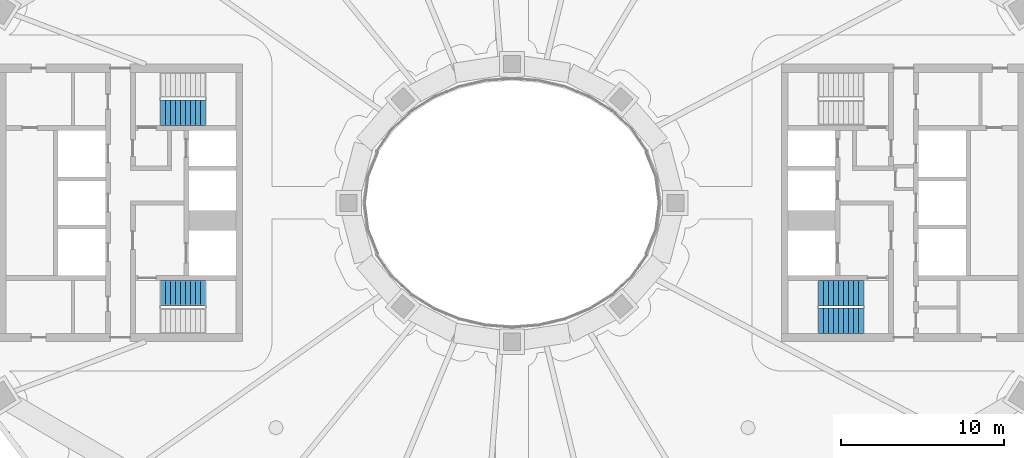
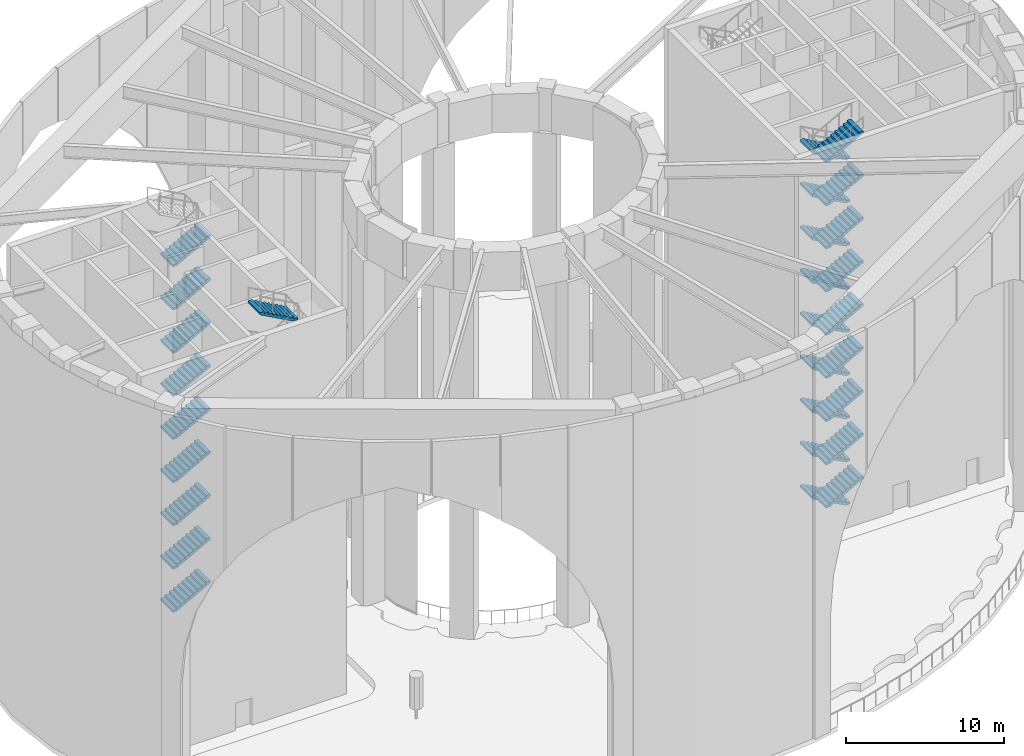
# One storey, part 6 of 26: 28 stair flights, 3 elements without a shape of their own.
"""IFC4 building model written with IfcOpenShell, lengths in metres."""

import ifcopenshell
import ifcopenshell.guid

model = None  # the IFC model being written
_history = None  # IfcOwnerHistory: only IFC2X3 demands one
_inside = {}  # id of a spatial element -> (the spatial element, [elements in it])
_under = {}  # id of a project, library or spatial element -> (it, [spatial elements below it])
_declared = {}  # id of a project -> (the project, [libraries it declares])
_typed = {}  # id of a type object -> (the type object, [elements of that type])
_made_of = {}  # id of a material, layer set ... -> (it, [elements and type objects made of it])


def new_model(schema):
    """Start an empty IFC model of exactly this schema.

    Asked for "IFC4X3", IfcOpenShell would pick the latest addendum, in which some entities
    have other attributes; the version numbers below select the first issue.
    IFC2X3 requires an IfcOwnerHistory on every rooted entity: one is made here for all.
    """
    global model, _history
    if schema == "IFC4X3":
        model = ifcopenshell.file(schema_version=(4, 3, 0, 0))
    else:
        model = ifcopenshell.file(schema=schema)
    _inside.clear()
    _under.clear()
    _declared.clear()
    _typed.clear()
    _made_of.clear()
    _history = None
    if model.schema == "IFC2X3":
        org = make("IfcOrganization", Name="unknown")
        user = make(
            "IfcPersonAndOrganization",
            ThePerson=make("IfcPerson", FamilyName="unknown"),
            TheOrganization=org,
        )
        app = make(
            "IfcApplication",
            ApplicationDeveloper=org,
            Version="unknown",
            ApplicationFullName="unknown",
            ApplicationIdentifier="unknown",
        )
        _history = make(
            "IfcOwnerHistory",
            OwningUser=user,
            OwningApplication=app,
            ChangeAction="ADDED",
            CreationDate=0,
        )
    return model


def make(cls, **values):
    """One entity of the class cls with the attributes given. An attribute that is None is left unset."""
    return model.create_entity(
        cls, **{name: value for name, value in values.items() if value is not None}
    )


def rooted(cls, **values):
    """An entity with a GlobalId (a new one), such as an element, a storey or a relation."""
    return make(cls, GlobalId=ifcopenshell.guid.new(), OwnerHistory=_history, **values)


def si_unit(unit_type, name, prefix=None):
    """IfcSIUnit, for example si_unit("LENGTHUNIT", "METRE", prefix="MILLI")."""
    return make("IfcSIUnit", UnitType=unit_type, Prefix=prefix, Name=name)


def assignment(units):
    """IfcUnitAssignment: the units of a project."""
    return None if units is None else make("IfcUnitAssignment", Units=units)


def point(xyz):
    """IfcCartesianPoint."""
    return None if xyz is None else make("IfcCartesianPoint", Coordinates=xyz)


def direction(xyz):
    """IfcDirection."""
    return None if xyz is None else make("IfcDirection", DirectionRatios=xyz)


def frame(location, z_axis=None, x_axis=None):
    """IfcAxis2Placement3D, a coordinate frame: its origin and axes. An axis left out is left unset."""
    return make(
        "IfcAxis2Placement3D",
        Location=point(location),
        Axis=direction(z_axis),
        RefDirection=direction(x_axis),
    )


def origin():
    """The frame at (0, 0, 0) with its axes left unset."""
    return frame((0.0, 0.0, 0.0))


def place(relative_to, where):
    """IfcLocalPlacement: puts the frame where relative to a parent placement (None: the world)."""
    return make(
        "IfcLocalPlacement", PlacementRelTo=relative_to, RelativePlacement=where
    )


def context(
    kind, dimensions, precision=None, world=None, true_north=None, identifier=None
):
    """IfcGeometricRepresentationContext, for example the 3D "Model" context."""
    return make(
        "IfcGeometricRepresentationContext",
        ContextIdentifier=identifier,
        ContextType=kind,
        CoordinateSpaceDimension=dimensions,
        Precision=precision,
        WorldCoordinateSystem=world,
        TrueNorth=true_north,
    )


def subcontext(parent, identifier, kind, view, scale=None):
    """IfcGeometricRepresentationSubContext, for example "Body" below "Model"."""
    return make(
        "IfcGeometricRepresentationSubContext",
        ContextIdentifier=identifier,
        ContextType=kind,
        ParentContext=parent,
        TargetScale=scale,
        TargetView=view,
    )


def project(units=None, contexts=None):
    """IfcProject with its units and contexts."""
    return rooted(
        "IfcProject",
        Name="project",
        RepresentationContexts=contexts,
        UnitsInContext=assignment(units),
    )


def spatial(cls, under=None, at=None, **own):
    """A site, building, storey or space (cls), placed at a placement, below another one or the project."""
    s = rooted(cls, ObjectPlacement=at, **own)
    if under is not None:
        _under.setdefault(under.id(), (under, []))[1].append(s)
    return s


def polyline(points):
    """IfcPolyline through the points."""
    return make("IfcPolyline", Points=[point(p) for p in points])


def outline(outer, holes=None, kind="AREA"):
    """IfcArbitraryClosedProfileDef: a profile drawn as a closed curve; with holes, ...WithVoids."""
    if holes is None:
        return make("IfcArbitraryClosedProfileDef", ProfileType=kind, OuterCurve=outer)
    return make(
        "IfcArbitraryProfileDefWithVoids",
        ProfileType=kind,
        OuterCurve=outer,
        InnerCurves=holes,
    )


def extrude(swept, where, along, depth):
    """IfcExtrudedAreaSolid: the profile swept, set in the frame where, extruded along a direction by depth."""
    return make(
        "IfcExtrudedAreaSolid",
        SweptArea=swept,
        Position=where,
        ExtrudedDirection=direction(along),
        Depth=depth,
    )


def shape(context_of_items, identifier, shape_type, items):
    """IfcShapeRepresentation: the items that make up one representation, for example the "Body"."""
    return make(
        "IfcShapeRepresentation",
        ContextOfItems=context_of_items,
        RepresentationIdentifier=identifier,
        RepresentationType=shape_type,
        Items=items,
    )


def material(Name=None, Category=None):
    """IfcMaterial."""
    return make("IfcMaterial", Name=Name, Category=Category)


def made_of(thing, what):
    """Note that an element or type object is made of a material, layer set ...; save() writes the relation."""
    if what is not None:
        _made_of.setdefault(what.id(), (what, []))[1].append(thing)
    return thing


def type_object(cls, material=None, **own):
    """A type object (cls), such as IfcWallType, which elements share."""
    return made_of(rooted(cls, **own), material)


def element(
    cls,
    number,
    at=None,
    inside=None,
    cuts=None,
    type_object=None,
    material=None,
    context=None,
    identifier="Body",
    shape_type=None,
    held_by="IfcProductDefinitionShape",
    body=None,
    shapes=None,
    **own,
):
    """One element of the class cls, such as IfcWall. Its Tag is "e" and its number.

    at: its placement. inside: the storey or other place that contains it. cuts: it is an
    opening in that element (IfcRelVoidsElement). A single representation is given by context,
    identifier, shape_type and body (its items); several are given by shapes. held_by: the class
    of the entity that holds the representations. save() writes the other relations.
    """
    e = rooted(cls, Tag="e%d" % number, ObjectPlacement=at, **own)
    if body is not None:
        shapes = [shape(context, identifier, shape_type, body)]
    if shapes is not None:
        e.Representation = make(held_by, Representations=shapes)
    if inside is not None:
        _inside.setdefault(inside.id(), (inside, []))[1].append(e)
    if cuts is not None:
        rooted(
            "IfcRelVoidsElement", RelatingBuildingElement=cuts, RelatedOpeningElement=e
        )
    if type_object is not None:
        _typed.setdefault(type_object.id(), (type_object, []))[1].append(e)
    return made_of(e, material)


def aggregate(whole, parts):
    """IfcRelAggregates: a whole, such as a stair, and the parts it consists of."""
    return rooted("IfcRelAggregates", RelatingObject=whole, RelatedObjects=parts)


def save(model, path):
    """Write the relations noted so far, then the file.

    IfcRelAggregates (storeys below a building ...), IfcRelContainedInSpatialStructure (elements
    in a storey), IfcRelDefinesByType, IfcRelAssociatesMaterial and IfcRelDeclares: one each for
    every whole, place, type object, material and project.
    """
    for whole, parts in _under.values():
        aggregate(whole, parts)
    for where, things in _inside.values():
        rooted(
            "IfcRelContainedInSpatialStructure",
            RelatedElements=things,
            RelatingStructure=where,
        )
    for kind, things in _typed.values():
        rooted("IfcRelDefinesByType", RelatedObjects=things, RelatingType=kind)
    for what, things in _made_of.values():
        rooted("IfcRelAssociatesMaterial", RelatedObjects=things, RelatingMaterial=what)
    for by, libraries in _declared.values():
        rooted("IfcRelDeclares", RelatingContext=by, RelatedDefinitions=libraries)
    model.write(path)


model = new_model("IFC4")

# Units and contexts
model_context = context("Model", 3, precision=1e-05, world=origin(), true_north=direction((0.0, 1.0)))
body_context = subcontext(model_context, "Body", "Model", "MODEL_VIEW")
ifc_project = project(units=[si_unit("LENGTHUNIT", "METRE"), si_unit("AREAUNIT", "SQUARE_METRE"), si_unit("VOLUMEUNIT", "CUBIC_METRE"), si_unit("PLANEANGLEUNIT", "RADIAN"), si_unit("MASSUNIT", "GRAM", prefix="KILO")], contexts=[model_context])

# Site, building, storey
site_placement = place(None, origin())
site = spatial("IfcSite", under=ifc_project, at=site_placement, CompositionType="ELEMENT")
building_placement = place(site_placement, origin())
building = spatial("IfcBuilding", under=site, at=building_placement, Name="Noorbagh Ring Tower", CompositionType="ELEMENT")
storey_placement = place(building_placement, frame((0.0, 0.0, 203.5)))
storey = spatial("IfcBuildingStorey", under=building, at=storey_placement, Name="L47", CompositionType="ELEMENT", Elevation=203.5)

# Stair, stair flights
ifc_material_1 = material(Name="Concrete C40/50", Category="concrete")
stair_type = type_object("IfcStairType", Name="CORE-STAIR", PredefinedType="HALF_TURN_STAIR", material=ifc_material_1)
stair_1_placement = place(storey_placement, origin())
stair_1 = element("IfcStair", 1, at=stair_1_placement, inside=storey, type_object=stair_type, Name="L47 Exit stair ST1", PredefinedType="HALF_TURN_STAIR")
ifc_material_2 = material(Name="Concrete C40/50", Category="concrete")
stair_flight_type = type_object("IfcStairFlightType", Name="CORE-STAIR-FLIGHT", PredefinedType="STRAIGHT", material=ifc_material_2)
stair_flight_1_placement = place(storey_placement, frame((-21.530029296875, 5.52490234375, 0.0), z_axis=(0.0, 0.0, 1.0), x_axis=(1.0, 0.0, 0.0)))
stair_flight_1 = element("IfcStairFlight", 2, at=stair_flight_1_placement, type_object=stair_flight_type, Name="ST1 flight 1", NumberOfRisers=10, NumberOfTreads=9, PredefinedType="STRAIGHT", RiserHeight=0.166666667, TreadLength=0.305, context=body_context, shape_type="SweptSolid", body=[
    extrude(outline(polyline([(0.0, 0.0), (0.0, 0.166748046875), (0.304931640625, 0.166748046875), (0.304931640625, 0.333251953125), (0.610107421875, 0.333251953125), (0.610107421875, 0.5), (0.9150390625, 0.5), (0.9150390625, 0.666748046875), (1.219970703125, 0.666748046875), (1.219970703125, 0.833251953125), (1.52490234375, 0.833251953125), (1.52490234375, 1.0), (1.830078125, 1.0), (1.830078125, 1.166748046875), (2.135009765625, 1.166748046875), (2.135009765625, 1.333251953125), (2.43994140625, 1.333251953125), (2.43994140625, 1.5), (2.7451171875, 1.5), (2.7451171875, 1.666748046875), (2.7451171875, 1.3291015625), (0.3125, 0.0), (0.0, 0.0)])), frame((0.0, 0.77490234375, 0.0), z_axis=(0.0, -1.0, 0.0), x_axis=(1.0, 0.0, 0.0)), (0.0, 0.0, 1.0), 1.550048828125),
])
stair_flight_2_placement = place(storey_placement, frame((-21.530029296875, 5.52490234375, 3.333251953125), z_axis=(0.0, 0.0, 1.0), x_axis=(1.0, 0.0, 0.0)))
stair_flight_2 = element("IfcStairFlight", 3, at=stair_flight_2_placement, type_object=stair_flight_type, Name="ST1 flight 3", NumberOfRisers=10, NumberOfTreads=9, PredefinedType="STRAIGHT", RiserHeight=0.166666667, TreadLength=0.305, context=body_context, shape_type="SweptSolid", body=[
    extrude(outline(polyline([(0.0, 0.0), (0.0, 0.166748046875), (0.304931640625, 0.166748046875), (0.304931640625, 0.333251953125), (0.610107421875, 0.333251953125), (0.610107421875, 0.5), (0.9150390625, 0.5), (0.9150390625, 0.666748046875), (1.219970703125, 0.666748046875), (1.219970703125, 0.833251953125), (1.52490234375, 0.833251953125), (1.52490234375, 1.0), (1.830078125, 1.0), (1.830078125, 1.166748046875), (2.135009765625, 1.166748046875), (2.135009765625, 1.333251953125), (2.43994140625, 1.333251953125), (2.43994140625, 1.5), (2.7451171875, 1.5), (2.7451171875, 1.666748046875), (2.7451171875, 1.3291015625), (0.3125, 0.0), (0.0, 0.0)])), frame((0.0, 0.77490234375, 0.0), z_axis=(0.0, -1.0, 0.0), x_axis=(1.0, 0.0, 0.0)), (0.0, 0.0, 1.0), 1.550048828125),
])
stair_flight_3_placement = place(storey_placement, frame((-21.530029296875, 5.52490234375, 6.666748046875), z_axis=(0.0, 0.0, 1.0), x_axis=(1.0, 0.0, 0.0)))
stair_flight_3 = element("IfcStairFlight", 4, at=stair_flight_3_placement, type_object=stair_flight_type, Name="ST1 flight 5", NumberOfRisers=10, NumberOfTreads=9, PredefinedType="STRAIGHT", RiserHeight=0.166666667, TreadLength=0.305, context=body_context, shape_type="SweptSolid", body=[
    extrude(outline(polyline([(0.0, 0.0), (0.0, 0.166748046875), (0.304931640625, 0.166748046875), (0.304931640625, 0.333251953125), (0.610107421875, 0.333251953125), (0.610107421875, 0.5), (0.9150390625, 0.5), (0.9150390625, 0.666748046875), (1.219970703125, 0.666748046875), (1.219970703125, 0.833251953125), (1.52490234375, 0.833251953125), (1.52490234375, 1.0), (1.830078125, 1.0), (1.830078125, 1.166748046875), (2.135009765625, 1.166748046875), (2.135009765625, 1.333251953125), (2.43994140625, 1.333251953125), (2.43994140625, 1.5), (2.7451171875, 1.5), (2.7451171875, 1.666748046875), (2.7451171875, 1.3291015625), (0.3125, 0.0), (0.0, 0.0)])), frame((0.0, 0.77490234375, 0.0), z_axis=(0.0, -1.0, 0.0), x_axis=(1.0, 0.0, 0.0)), (0.0, 0.0, 1.0), 1.550048828125),
])
stair_flight_4_placement = place(storey_placement, frame((-21.530029296875, 5.52490234375, 10.0), z_axis=(0.0, 0.0, 1.0), x_axis=(1.0, 0.0, 0.0)))
stair_flight_4 = element("IfcStairFlight", 5, at=stair_flight_4_placement, type_object=stair_flight_type, Name="ST1 flight 7", NumberOfRisers=10, NumberOfTreads=9, PredefinedType="STRAIGHT", RiserHeight=0.166666667, TreadLength=0.305, context=body_context, shape_type="SweptSolid", body=[
    extrude(outline(polyline([(0.0, 0.0), (0.0, 0.166748046875), (0.304931640625, 0.166748046875), (0.304931640625, 0.333251953125), (0.610107421875, 0.333251953125), (0.610107421875, 0.5), (0.9150390625, 0.5), (0.9150390625, 0.666748046875), (1.219970703125, 0.666748046875), (1.219970703125, 0.833251953125), (1.52490234375, 0.833251953125), (1.52490234375, 1.0), (1.830078125, 1.0), (1.830078125, 1.166748046875), (2.135009765625, 1.166748046875), (2.135009765625, 1.333251953125), (2.43994140625, 1.333251953125), (2.43994140625, 1.5), (2.7451171875, 1.5), (2.7451171875, 1.666748046875), (2.7451171875, 1.3291015625), (0.3125, 0.0), (0.0, 0.0)])), frame((0.0, 0.77490234375, 0.0), z_axis=(0.0, -1.0, 0.0), x_axis=(1.0, 0.0, 0.0)), (0.0, 0.0, 1.0), 1.550048828125),
])
stair_flight_5_placement = place(storey_placement, frame((-21.530029296875, 5.52490234375, 13.333251953125), z_axis=(0.0, 0.0, 1.0), x_axis=(1.0, 0.0, 0.0)))
stair_flight_5 = element("IfcStairFlight", 6, at=stair_flight_5_placement, type_object=stair_flight_type, Name="ST1 flight 9", NumberOfRisers=10, NumberOfTreads=9, PredefinedType="STRAIGHT", RiserHeight=0.166666667, TreadLength=0.305, context=body_context, shape_type="SweptSolid", body=[
    extrude(outline(polyline([(0.0, 0.0), (0.0, 0.166748046875), (0.304931640625, 0.166748046875), (0.304931640625, 0.333251953125), (0.610107421875, 0.333251953125), (0.610107421875, 0.5), (0.9150390625, 0.5), (0.9150390625, 0.666748046875), (1.219970703125, 0.666748046875), (1.219970703125, 0.833251953125), (1.52490234375, 0.833251953125), (1.52490234375, 1.0), (1.830078125, 1.0), (1.830078125, 1.166748046875), (2.135009765625, 1.166748046875), (2.135009765625, 1.333251953125), (2.43994140625, 1.333251953125), (2.43994140625, 1.5), (2.7451171875, 1.5), (2.7451171875, 1.666748046875), (2.7451171875, 1.3291015625), (0.3125, 0.0), (0.0, 0.0)])), frame((0.0, 0.77490234375, 0.0), z_axis=(0.0, -1.0, 0.0), x_axis=(1.0, 0.0, 0.0)), (0.0, 0.0, 1.0), 1.550048828125),
])
stair_flight_6_placement = place(storey_placement, frame((-21.530029296875, 5.52490234375, 16.666748046875), z_axis=(0.0, 0.0, 1.0), x_axis=(1.0, 0.0, 0.0)))
stair_flight_6 = element("IfcStairFlight", 7, at=stair_flight_6_placement, type_object=stair_flight_type, Name="ST1 flight 11", NumberOfRisers=10, NumberOfTreads=9, PredefinedType="STRAIGHT", RiserHeight=0.166666667, TreadLength=0.305, context=body_context, shape_type="SweptSolid", body=[
    extrude(outline(polyline([(0.0, 0.0), (0.0, 0.166748046875), (0.304931640625, 0.166748046875), (0.304931640625, 0.333251953125), (0.610107421875, 0.333251953125), (0.610107421875, 0.5), (0.9150390625, 0.5), (0.9150390625, 0.666748046875), (1.219970703125, 0.666748046875), (1.219970703125, 0.833251953125), (1.52490234375, 0.833251953125), (1.52490234375, 1.0), (1.830078125, 1.0), (1.830078125, 1.166748046875), (2.135009765625, 1.166748046875), (2.135009765625, 1.333251953125), (2.43994140625, 1.333251953125), (2.43994140625, 1.5), (2.7451171875, 1.5), (2.7451171875, 1.666748046875), (2.7451171875, 1.3291015625), (0.3125, 0.0), (0.0, 0.0)])), frame((0.0, 0.77490234375, 0.0), z_axis=(0.0, -1.0, 0.0), x_axis=(1.0, 0.0, 0.0)), (0.0, 0.0, 1.0), 1.550048828125),
])
stair_flight_7_placement = place(storey_placement, frame((-21.530029296875, 5.52490234375, 20.0), z_axis=(0.0, 0.0, 1.0), x_axis=(1.0, 0.0, 0.0)))
stair_flight_7 = element("IfcStairFlight", 8, at=stair_flight_7_placement, type_object=stair_flight_type, Name="ST1 flight 13", NumberOfRisers=10, NumberOfTreads=9, PredefinedType="STRAIGHT", RiserHeight=0.166666667, TreadLength=0.305, context=body_context, shape_type="SweptSolid", body=[
    extrude(outline(polyline([(0.0, 0.0), (0.0, 0.166748046875), (0.304931640625, 0.166748046875), (0.304931640625, 0.333251953125), (0.610107421875, 0.333251953125), (0.610107421875, 0.5), (0.9150390625, 0.5), (0.9150390625, 0.666748046875), (1.219970703125, 0.666748046875), (1.219970703125, 0.833251953125), (1.52490234375, 0.833251953125), (1.52490234375, 1.0), (1.830078125, 1.0), (1.830078125, 1.166748046875), (2.135009765625, 1.166748046875), (2.135009765625, 1.333251953125), (2.43994140625, 1.333251953125), (2.43994140625, 1.5), (2.7451171875, 1.5), (2.7451171875, 1.666748046875), (2.7451171875, 1.3291015625), (0.3125, 0.0), (0.0, 0.0)])), frame((0.0, 0.77490234375, 0.0), z_axis=(0.0, -1.0, 0.0), x_axis=(1.0, 0.0, 0.0)), (0.0, 0.0, 1.0), 1.550048828125),
])
stair_flight_8_placement = place(storey_placement, frame((-21.530029296875, 5.52490234375, 23.333251953125), z_axis=(0.0, 0.0, 1.0), x_axis=(1.0, 0.0, 0.0)))
stair_flight_8 = element("IfcStairFlight", 9, at=stair_flight_8_placement, type_object=stair_flight_type, Name="ST1 flight 15", NumberOfRisers=10, NumberOfTreads=9, PredefinedType="STRAIGHT", RiserHeight=0.166666667, TreadLength=0.305, context=body_context, shape_type="SweptSolid", body=[
    extrude(outline(polyline([(0.0, 0.0), (0.0, 0.166748046875), (0.304931640625, 0.166748046875), (0.304931640625, 0.333251953125), (0.610107421875, 0.333251953125), (0.610107421875, 0.5), (0.9150390625, 0.5), (0.9150390625, 0.666748046875), (1.219970703125, 0.666748046875), (1.219970703125, 0.833251953125), (1.52490234375, 0.833251953125), (1.52490234375, 1.0), (1.830078125, 1.0), (1.830078125, 1.166748046875), (2.135009765625, 1.166748046875), (2.135009765625, 1.333251953125), (2.43994140625, 1.333251953125), (2.43994140625, 1.5), (2.7451171875, 1.5), (2.7451171875, 1.666748046875), (2.7451171875, 1.3291015625), (0.3125, 0.0), (0.0, 0.0)])), frame((0.0, 0.77490234375, 0.0), z_axis=(0.0, -1.0, 0.0), x_axis=(1.0, 0.0, 0.0)), (0.0, 0.0, 1.0), 1.550048828125),
])
stair_flight_9_placement = place(storey_placement, frame((-21.530029296875, 5.52490234375, 26.666748046875), z_axis=(0.0, 0.0, 1.0), x_axis=(1.0, 0.0, 0.0)))
stair_flight_9 = element("IfcStairFlight", 10, at=stair_flight_9_placement, type_object=stair_flight_type, Name="ST1 flight 17", NumberOfRisers=10, NumberOfTreads=9, PredefinedType="STRAIGHT", RiserHeight=0.166666667, TreadLength=0.305, context=body_context, shape_type="SweptSolid", body=[
    extrude(outline(polyline([(0.0, 0.0), (0.0, 0.166748046875), (0.304931640625, 0.166748046875), (0.304931640625, 0.333251953125), (0.610107421875, 0.333251953125), (0.610107421875, 0.5), (0.9150390625, 0.5), (0.9150390625, 0.666748046875), (1.219970703125, 0.666748046875), (1.219970703125, 0.833251953125), (1.52490234375, 0.833251953125), (1.52490234375, 1.0), (1.830078125, 1.0), (1.830078125, 1.166748046875), (2.135009765625, 1.166748046875), (2.135009765625, 1.333251953125), (2.43994140625, 1.333251953125), (2.43994140625, 1.5), (2.7451171875, 1.5), (2.7451171875, 1.666748046875), (2.7451171875, 1.3291015625), (0.3125, 0.0), (0.0, 0.0)])), frame((0.0, 0.77490234375, 0.0), z_axis=(0.0, -1.0, 0.0), x_axis=(1.0, 0.0, 0.0)), (0.0, 0.0, 1.0), 1.550048828125),
])
aggregate(stair_1, [stair_flight_1, stair_flight_2, stair_flight_3, stair_flight_4, stair_flight_5, stair_flight_6, stair_flight_7, stair_flight_8, stair_flight_9])

# Stair, stair flight
stair_2_placement = place(storey_placement, origin())
stair_2 = element("IfcStair", 11, at=stair_2_placement, inside=storey, type_object=stair_type, Name="L47 Exit stair ST2", PredefinedType="HALF_TURN_STAIR")
stair_flight_10_placement = place(storey_placement, frame((-18.784912109375, -5.52490234375, 28.333251953125), z_axis=(0.0, 0.0, 1.0), x_axis=(-1.0, 0.0, 0.0)))
stair_flight_10 = element("IfcStairFlight", 12, at=stair_flight_10_placement, type_object=stair_flight_type, Name="ST2 flight 18", NumberOfRisers=10, NumberOfTreads=9, PredefinedType="STRAIGHT", RiserHeight=0.166666667, TreadLength=0.305, context=body_context, shape_type="SweptSolid", body=[
    extrude(outline(polyline([(0.0, 0.0), (0.0, 0.166748046875), (0.304931640625, 0.166748046875), (0.304931640625, 0.333251953125), (0.610107421875, 0.333251953125), (0.610107421875, 0.5), (0.9150390625, 0.5), (0.9150390625, 0.666748046875), (1.219970703125, 0.666748046875), (1.219970703125, 0.833251953125), (1.52490234375, 0.833251953125), (1.52490234375, 1.0), (1.830078125, 1.0), (1.830078125, 1.166748046875), (2.135009765625, 1.166748046875), (2.135009765625, 1.333251953125), (2.43994140625, 1.333251953125), (2.43994140625, 1.5), (2.7451171875, 1.5), (2.7451171875, 1.666748046875), (2.7451171875, 1.3291015625), (0.3125, 0.0), (0.0, 0.0)])), frame((0.0, 0.77490234375, 0.0), z_axis=(0.0, -1.0, 0.0), x_axis=(1.0, 0.0, 0.0)), (0.0, 0.0, 1.0), 1.550048828125),
])
aggregate(stair_2, [stair_flight_10])

# Stair, stair flights
stair_3_placement = place(storey_placement, origin())
stair_3 = element("IfcStair", 13, at=stair_3_placement, inside=storey, type_object=stair_type, Name="L47 Exit stair ST4", PredefinedType="HALF_TURN_STAIR")
stair_flight_11_placement = place(storey_placement, frame((21.530029296875, -5.52490234375, 0.0), z_axis=(0.0, 0.0, 1.0), x_axis=(-1.0, 0.0, 0.0)))
stair_flight_11 = element("IfcStairFlight", 14, at=stair_flight_11_placement, type_object=stair_flight_type, Name="ST4 flight 1", NumberOfRisers=10, NumberOfTreads=9, PredefinedType="STRAIGHT", RiserHeight=0.166666667, TreadLength=0.305, context=body_context, shape_type="SweptSolid", body=[
    extrude(outline(polyline([(0.0, 0.0), (0.0, 0.166748046875), (0.304931640625, 0.166748046875), (0.304931640625, 0.333251953125), (0.610107421875, 0.333251953125), (0.610107421875, 0.5), (0.9150390625, 0.5), (0.9150390625, 0.666748046875), (1.219970703125, 0.666748046875), (1.219970703125, 0.833251953125), (1.52490234375, 0.833251953125), (1.52490234375, 1.0), (1.830078125, 1.0), (1.830078125, 1.166748046875), (2.135009765625, 1.166748046875), (2.135009765625, 1.333251953125), (2.43994140625, 1.333251953125), (2.43994140625, 1.5), (2.7451171875, 1.5), (2.7451171875, 1.666748046875), (2.7451171875, 1.3291015625), (0.3125, 0.0), (0.0, 0.0)])), frame((0.0, 0.77490234375, 0.0), z_axis=(0.0, -1.0, 0.0), x_axis=(1.0, 0.0, 0.0)), (0.0, 0.0, 1.0), 1.550048828125),
])
stair_flight_12_placement = place(storey_placement, frame((18.784912109375, -7.22509765625, 1.666748046875), z_axis=(0.0, 0.0, 1.0), x_axis=(1.0, 0.0, 0.0)))
stair_flight_12 = element("IfcStairFlight", 15, at=stair_flight_12_placement, type_object=stair_flight_type, Name="ST4 flight 2", NumberOfRisers=10, NumberOfTreads=9, PredefinedType="STRAIGHT", RiserHeight=0.166666667, TreadLength=0.305, context=body_context, shape_type="SweptSolid", body=[
    extrude(outline(polyline([(0.0, 0.0), (0.0, 0.166748046875), (0.304931640625, 0.166748046875), (0.304931640625, 0.333251953125), (0.610107421875, 0.333251953125), (0.610107421875, 0.5), (0.9150390625, 0.5), (0.9150390625, 0.666748046875), (1.219970703125, 0.666748046875), (1.219970703125, 0.833251953125), (1.52490234375, 0.833251953125), (1.52490234375, 1.0), (1.830078125, 1.0), (1.830078125, 1.166748046875), (2.135009765625, 1.166748046875), (2.135009765625, 1.333251953125), (2.43994140625, 1.333251953125), (2.43994140625, 1.5), (2.7451171875, 1.5), (2.7451171875, 1.666748046875), (2.7451171875, 1.3291015625), (0.3125, 0.0), (0.0, 0.0)])), frame((0.0, 0.77490234375, 0.0), z_axis=(0.0, -1.0, 0.0), x_axis=(1.0, 0.0, 0.0)), (0.0, 0.0, 1.0), 1.550048828125),
])
stair_flight_13_placement = place(storey_placement, frame((21.530029296875, -5.52490234375, 3.333251953125), z_axis=(0.0, 0.0, 1.0), x_axis=(-1.0, 0.0, 0.0)))
stair_flight_13 = element("IfcStairFlight", 16, at=stair_flight_13_placement, type_object=stair_flight_type, Name="ST4 flight 3", NumberOfRisers=10, NumberOfTreads=9, PredefinedType="STRAIGHT", RiserHeight=0.166666667, TreadLength=0.305, context=body_context, shape_type="SweptSolid", body=[
    extrude(outline(polyline([(0.0, 0.0), (0.0, 0.166748046875), (0.304931640625, 0.166748046875), (0.304931640625, 0.333251953125), (0.610107421875, 0.333251953125), (0.610107421875, 0.5), (0.9150390625, 0.5), (0.9150390625, 0.666748046875), (1.219970703125, 0.666748046875), (1.219970703125, 0.833251953125), (1.52490234375, 0.833251953125), (1.52490234375, 1.0), (1.830078125, 1.0), (1.830078125, 1.166748046875), (2.135009765625, 1.166748046875), (2.135009765625, 1.333251953125), (2.43994140625, 1.333251953125), (2.43994140625, 1.5), (2.7451171875, 1.5), (2.7451171875, 1.666748046875), (2.7451171875, 1.3291015625), (0.3125, 0.0), (0.0, 0.0)])), frame((0.0, 0.77490234375, 0.0), z_axis=(0.0, -1.0, 0.0), x_axis=(1.0, 0.0, 0.0)), (0.0, 0.0, 1.0), 1.550048828125),
])
stair_flight_14_placement = place(storey_placement, frame((18.784912109375, -7.22509765625, 5.0), z_axis=(0.0, 0.0, 1.0), x_axis=(1.0, 0.0, 0.0)))
stair_flight_14 = element("IfcStairFlight", 17, at=stair_flight_14_placement, type_object=stair_flight_type, Name="ST4 flight 4", NumberOfRisers=10, NumberOfTreads=9, PredefinedType="STRAIGHT", RiserHeight=0.166666667, TreadLength=0.305, context=body_context, shape_type="SweptSolid", body=[
    extrude(outline(polyline([(0.0, 0.0), (0.0, 0.166748046875), (0.304931640625, 0.166748046875), (0.304931640625, 0.333251953125), (0.610107421875, 0.333251953125), (0.610107421875, 0.5), (0.9150390625, 0.5), (0.9150390625, 0.666748046875), (1.219970703125, 0.666748046875), (1.219970703125, 0.833251953125), (1.52490234375, 0.833251953125), (1.52490234375, 1.0), (1.830078125, 1.0), (1.830078125, 1.166748046875), (2.135009765625, 1.166748046875), (2.135009765625, 1.333251953125), (2.43994140625, 1.333251953125), (2.43994140625, 1.5), (2.7451171875, 1.5), (2.7451171875, 1.666748046875), (2.7451171875, 1.3291015625), (0.3125, 0.0), (0.0, 0.0)])), frame((0.0, 0.77490234375, 0.0), z_axis=(0.0, -1.0, 0.0), x_axis=(1.0, 0.0, 0.0)), (0.0, 0.0, 1.0), 1.550048828125),
])
stair_flight_15_placement = place(storey_placement, frame((21.530029296875, -5.52490234375, 6.666748046875), z_axis=(0.0, 0.0, 1.0), x_axis=(-1.0, 0.0, 0.0)))
stair_flight_15 = element("IfcStairFlight", 18, at=stair_flight_15_placement, type_object=stair_flight_type, Name="ST4 flight 5", NumberOfRisers=10, NumberOfTreads=9, PredefinedType="STRAIGHT", RiserHeight=0.166666667, TreadLength=0.305, context=body_context, shape_type="SweptSolid", body=[
    extrude(outline(polyline([(0.0, 0.0), (0.0, 0.166748046875), (0.304931640625, 0.166748046875), (0.304931640625, 0.333251953125), (0.610107421875, 0.333251953125), (0.610107421875, 0.5), (0.9150390625, 0.5), (0.9150390625, 0.666748046875), (1.219970703125, 0.666748046875), (1.219970703125, 0.833251953125), (1.52490234375, 0.833251953125), (1.52490234375, 1.0), (1.830078125, 1.0), (1.830078125, 1.166748046875), (2.135009765625, 1.166748046875), (2.135009765625, 1.333251953125), (2.43994140625, 1.333251953125), (2.43994140625, 1.5), (2.7451171875, 1.5), (2.7451171875, 1.666748046875), (2.7451171875, 1.3291015625), (0.3125, 0.0), (0.0, 0.0)])), frame((0.0, 0.77490234375, 0.0), z_axis=(0.0, -1.0, 0.0), x_axis=(1.0, 0.0, 0.0)), (0.0, 0.0, 1.0), 1.550048828125),
])
stair_flight_16_placement = place(storey_placement, frame((18.784912109375, -7.22509765625, 8.333251953125), z_axis=(0.0, 0.0, 1.0), x_axis=(1.0, 0.0, 0.0)))
stair_flight_16 = element("IfcStairFlight", 19, at=stair_flight_16_placement, type_object=stair_flight_type, Name="ST4 flight 6", NumberOfRisers=10, NumberOfTreads=9, PredefinedType="STRAIGHT", RiserHeight=0.166666667, TreadLength=0.305, context=body_context, shape_type="SweptSolid", body=[
    extrude(outline(polyline([(0.0, 0.0), (0.0, 0.166748046875), (0.304931640625, 0.166748046875), (0.304931640625, 0.333251953125), (0.610107421875, 0.333251953125), (0.610107421875, 0.5), (0.9150390625, 0.5), (0.9150390625, 0.666748046875), (1.219970703125, 0.666748046875), (1.219970703125, 0.833251953125), (1.52490234375, 0.833251953125), (1.52490234375, 1.0), (1.830078125, 1.0), (1.830078125, 1.166748046875), (2.135009765625, 1.166748046875), (2.135009765625, 1.333251953125), (2.43994140625, 1.333251953125), (2.43994140625, 1.5), (2.7451171875, 1.5), (2.7451171875, 1.666748046875), (2.7451171875, 1.3291015625), (0.3125, 0.0), (0.0, 0.0)])), frame((0.0, 0.77490234375, 0.0), z_axis=(0.0, -1.0, 0.0), x_axis=(1.0, 0.0, 0.0)), (0.0, 0.0, 1.0), 1.550048828125),
])
stair_flight_17_placement = place(storey_placement, frame((21.530029296875, -5.52490234375, 10.0), z_axis=(0.0, 0.0, 1.0), x_axis=(-1.0, 0.0, 0.0)))
stair_flight_17 = element("IfcStairFlight", 20, at=stair_flight_17_placement, type_object=stair_flight_type, Name="ST4 flight 7", NumberOfRisers=10, NumberOfTreads=9, PredefinedType="STRAIGHT", RiserHeight=0.166666667, TreadLength=0.305, context=body_context, shape_type="SweptSolid", body=[
    extrude(outline(polyline([(0.0, 0.0), (0.0, 0.166748046875), (0.304931640625, 0.166748046875), (0.304931640625, 0.333251953125), (0.610107421875, 0.333251953125), (0.610107421875, 0.5), (0.9150390625, 0.5), (0.9150390625, 0.666748046875), (1.219970703125, 0.666748046875), (1.219970703125, 0.833251953125), (1.52490234375, 0.833251953125), (1.52490234375, 1.0), (1.830078125, 1.0), (1.830078125, 1.166748046875), (2.135009765625, 1.166748046875), (2.135009765625, 1.333251953125), (2.43994140625, 1.333251953125), (2.43994140625, 1.5), (2.7451171875, 1.5), (2.7451171875, 1.666748046875), (2.7451171875, 1.3291015625), (0.3125, 0.0), (0.0, 0.0)])), frame((0.0, 0.77490234375, 0.0), z_axis=(0.0, -1.0, 0.0), x_axis=(1.0, 0.0, 0.0)), (0.0, 0.0, 1.0), 1.550048828125),
])
stair_flight_18_placement = place(storey_placement, frame((18.784912109375, -7.22509765625, 11.666748046875), z_axis=(0.0, 0.0, 1.0), x_axis=(1.0, 0.0, 0.0)))
stair_flight_18 = element("IfcStairFlight", 21, at=stair_flight_18_placement, type_object=stair_flight_type, Name="ST4 flight 8", NumberOfRisers=10, NumberOfTreads=9, PredefinedType="STRAIGHT", RiserHeight=0.166666667, TreadLength=0.305, context=body_context, shape_type="SweptSolid", body=[
    extrude(outline(polyline([(0.0, 0.0), (0.0, 0.166748046875), (0.304931640625, 0.166748046875), (0.304931640625, 0.333251953125), (0.610107421875, 0.333251953125), (0.610107421875, 0.5), (0.9150390625, 0.5), (0.9150390625, 0.666748046875), (1.219970703125, 0.666748046875), (1.219970703125, 0.833251953125), (1.52490234375, 0.833251953125), (1.52490234375, 1.0), (1.830078125, 1.0), (1.830078125, 1.166748046875), (2.135009765625, 1.166748046875), (2.135009765625, 1.333251953125), (2.43994140625, 1.333251953125), (2.43994140625, 1.5), (2.7451171875, 1.5), (2.7451171875, 1.666748046875), (2.7451171875, 1.3291015625), (0.3125, 0.0), (0.0, 0.0)])), frame((0.0, 0.77490234375, 0.0), z_axis=(0.0, -1.0, 0.0), x_axis=(1.0, 0.0, 0.0)), (0.0, 0.0, 1.0), 1.550048828125),
])
stair_flight_19_placement = place(storey_placement, frame((21.530029296875, -5.52490234375, 13.333251953125), z_axis=(0.0, 0.0, 1.0), x_axis=(-1.0, 0.0, 0.0)))
stair_flight_19 = element("IfcStairFlight", 22, at=stair_flight_19_placement, type_object=stair_flight_type, Name="ST4 flight 9", NumberOfRisers=10, NumberOfTreads=9, PredefinedType="STRAIGHT", RiserHeight=0.166666667, TreadLength=0.305, context=body_context, shape_type="SweptSolid", body=[
    extrude(outline(polyline([(0.0, 0.0), (0.0, 0.166748046875), (0.304931640625, 0.166748046875), (0.304931640625, 0.333251953125), (0.610107421875, 0.333251953125), (0.610107421875, 0.5), (0.9150390625, 0.5), (0.9150390625, 0.666748046875), (1.219970703125, 0.666748046875), (1.219970703125, 0.833251953125), (1.52490234375, 0.833251953125), (1.52490234375, 1.0), (1.830078125, 1.0), (1.830078125, 1.166748046875), (2.135009765625, 1.166748046875), (2.135009765625, 1.333251953125), (2.43994140625, 1.333251953125), (2.43994140625, 1.5), (2.7451171875, 1.5), (2.7451171875, 1.666748046875), (2.7451171875, 1.3291015625), (0.3125, 0.0), (0.0, 0.0)])), frame((0.0, 0.77490234375, 0.0), z_axis=(0.0, -1.0, 0.0), x_axis=(1.0, 0.0, 0.0)), (0.0, 0.0, 1.0), 1.550048828125),
])
stair_flight_20_placement = place(storey_placement, frame((18.784912109375, -7.22509765625, 15.0), z_axis=(0.0, 0.0, 1.0), x_axis=(1.0, 0.0, 0.0)))
stair_flight_20 = element("IfcStairFlight", 23, at=stair_flight_20_placement, type_object=stair_flight_type, Name="ST4 flight 10", NumberOfRisers=10, NumberOfTreads=9, PredefinedType="STRAIGHT", RiserHeight=0.166666667, TreadLength=0.305, context=body_context, shape_type="SweptSolid", body=[
    extrude(outline(polyline([(0.0, 0.0), (0.0, 0.166748046875), (0.304931640625, 0.166748046875), (0.304931640625, 0.333251953125), (0.610107421875, 0.333251953125), (0.610107421875, 0.5), (0.9150390625, 0.5), (0.9150390625, 0.666748046875), (1.219970703125, 0.666748046875), (1.219970703125, 0.833251953125), (1.52490234375, 0.833251953125), (1.52490234375, 1.0), (1.830078125, 1.0), (1.830078125, 1.166748046875), (2.135009765625, 1.166748046875), (2.135009765625, 1.333251953125), (2.43994140625, 1.333251953125), (2.43994140625, 1.5), (2.7451171875, 1.5), (2.7451171875, 1.666748046875), (2.7451171875, 1.3291015625), (0.3125, 0.0), (0.0, 0.0)])), frame((0.0, 0.77490234375, 0.0), z_axis=(0.0, -1.0, 0.0), x_axis=(1.0, 0.0, 0.0)), (0.0, 0.0, 1.0), 1.550048828125),
])
stair_flight_21_placement = place(storey_placement, frame((21.530029296875, -5.52490234375, 16.666748046875), z_axis=(0.0, 0.0, 1.0), x_axis=(-1.0, 0.0, 0.0)))
stair_flight_21 = element("IfcStairFlight", 24, at=stair_flight_21_placement, type_object=stair_flight_type, Name="ST4 flight 11", NumberOfRisers=10, NumberOfTreads=9, PredefinedType="STRAIGHT", RiserHeight=0.166666667, TreadLength=0.305, context=body_context, shape_type="SweptSolid", body=[
    extrude(outline(polyline([(0.0, 0.0), (0.0, 0.166748046875), (0.304931640625, 0.166748046875), (0.304931640625, 0.333251953125), (0.610107421875, 0.333251953125), (0.610107421875, 0.5), (0.9150390625, 0.5), (0.9150390625, 0.666748046875), (1.219970703125, 0.666748046875), (1.219970703125, 0.833251953125), (1.52490234375, 0.833251953125), (1.52490234375, 1.0), (1.830078125, 1.0), (1.830078125, 1.166748046875), (2.135009765625, 1.166748046875), (2.135009765625, 1.333251953125), (2.43994140625, 1.333251953125), (2.43994140625, 1.5), (2.7451171875, 1.5), (2.7451171875, 1.666748046875), (2.7451171875, 1.3291015625), (0.3125, 0.0), (0.0, 0.0)])), frame((0.0, 0.77490234375, 0.0), z_axis=(0.0, -1.0, 0.0), x_axis=(1.0, 0.0, 0.0)), (0.0, 0.0, 1.0), 1.550048828125),
])
stair_flight_22_placement = place(storey_placement, frame((18.784912109375, -7.22509765625, 18.333251953125), z_axis=(0.0, 0.0, 1.0), x_axis=(1.0, 0.0, 0.0)))
stair_flight_22 = element("IfcStairFlight", 25, at=stair_flight_22_placement, type_object=stair_flight_type, Name="ST4 flight 12", NumberOfRisers=10, NumberOfTreads=9, PredefinedType="STRAIGHT", RiserHeight=0.166666667, TreadLength=0.305, context=body_context, shape_type="SweptSolid", body=[
    extrude(outline(polyline([(0.0, 0.0), (0.0, 0.166748046875), (0.304931640625, 0.166748046875), (0.304931640625, 0.333251953125), (0.610107421875, 0.333251953125), (0.610107421875, 0.5), (0.9150390625, 0.5), (0.9150390625, 0.666748046875), (1.219970703125, 0.666748046875), (1.219970703125, 0.833251953125), (1.52490234375, 0.833251953125), (1.52490234375, 1.0), (1.830078125, 1.0), (1.830078125, 1.166748046875), (2.135009765625, 1.166748046875), (2.135009765625, 1.333251953125), (2.43994140625, 1.333251953125), (2.43994140625, 1.5), (2.7451171875, 1.5), (2.7451171875, 1.666748046875), (2.7451171875, 1.3291015625), (0.3125, 0.0), (0.0, 0.0)])), frame((0.0, 0.77490234375, 0.0), z_axis=(0.0, -1.0, 0.0), x_axis=(1.0, 0.0, 0.0)), (0.0, 0.0, 1.0), 1.550048828125),
])
stair_flight_23_placement = place(storey_placement, frame((21.530029296875, -5.52490234375, 20.0), z_axis=(0.0, 0.0, 1.0), x_axis=(-1.0, 0.0, 0.0)))
stair_flight_23 = element("IfcStairFlight", 26, at=stair_flight_23_placement, type_object=stair_flight_type, Name="ST4 flight 13", NumberOfRisers=10, NumberOfTreads=9, PredefinedType="STRAIGHT", RiserHeight=0.166666667, TreadLength=0.305, context=body_context, shape_type="SweptSolid", body=[
    extrude(outline(polyline([(0.0, 0.0), (0.0, 0.166748046875), (0.304931640625, 0.166748046875), (0.304931640625, 0.333251953125), (0.610107421875, 0.333251953125), (0.610107421875, 0.5), (0.9150390625, 0.5), (0.9150390625, 0.666748046875), (1.219970703125, 0.666748046875), (1.219970703125, 0.833251953125), (1.52490234375, 0.833251953125), (1.52490234375, 1.0), (1.830078125, 1.0), (1.830078125, 1.166748046875), (2.135009765625, 1.166748046875), (2.135009765625, 1.333251953125), (2.43994140625, 1.333251953125), (2.43994140625, 1.5), (2.7451171875, 1.5), (2.7451171875, 1.666748046875), (2.7451171875, 1.3291015625), (0.3125, 0.0), (0.0, 0.0)])), frame((0.0, 0.77490234375, 0.0), z_axis=(0.0, -1.0, 0.0), x_axis=(1.0, 0.0, 0.0)), (0.0, 0.0, 1.0), 1.550048828125),
])
stair_flight_24_placement = place(storey_placement, frame((18.784912109375, -7.22509765625, 21.666748046875), z_axis=(0.0, 0.0, 1.0), x_axis=(1.0, 0.0, 0.0)))
stair_flight_24 = element("IfcStairFlight", 27, at=stair_flight_24_placement, type_object=stair_flight_type, Name="ST4 flight 14", NumberOfRisers=10, NumberOfTreads=9, PredefinedType="STRAIGHT", RiserHeight=0.166666667, TreadLength=0.305, context=body_context, shape_type="SweptSolid", body=[
    extrude(outline(polyline([(0.0, 0.0), (0.0, 0.166748046875), (0.304931640625, 0.166748046875), (0.304931640625, 0.333251953125), (0.610107421875, 0.333251953125), (0.610107421875, 0.5), (0.9150390625, 0.5), (0.9150390625, 0.666748046875), (1.219970703125, 0.666748046875), (1.219970703125, 0.833251953125), (1.52490234375, 0.833251953125), (1.52490234375, 1.0), (1.830078125, 1.0), (1.830078125, 1.166748046875), (2.135009765625, 1.166748046875), (2.135009765625, 1.333251953125), (2.43994140625, 1.333251953125), (2.43994140625, 1.5), (2.7451171875, 1.5), (2.7451171875, 1.666748046875), (2.7451171875, 1.3291015625), (0.3125, 0.0), (0.0, 0.0)])), frame((0.0, 0.77490234375, 0.0), z_axis=(0.0, -1.0, 0.0), x_axis=(1.0, 0.0, 0.0)), (0.0, 0.0, 1.0), 1.550048828125),
])
stair_flight_25_placement = place(storey_placement, frame((21.530029296875, -5.52490234375, 23.333251953125), z_axis=(0.0, 0.0, 1.0), x_axis=(-1.0, 0.0, 0.0)))
stair_flight_25 = element("IfcStairFlight", 28, at=stair_flight_25_placement, type_object=stair_flight_type, Name="ST4 flight 15", NumberOfRisers=10, NumberOfTreads=9, PredefinedType="STRAIGHT", RiserHeight=0.166666667, TreadLength=0.305, context=body_context, shape_type="SweptSolid", body=[
    extrude(outline(polyline([(0.0, 0.0), (0.0, 0.166748046875), (0.304931640625, 0.166748046875), (0.304931640625, 0.333251953125), (0.610107421875, 0.333251953125), (0.610107421875, 0.5), (0.9150390625, 0.5), (0.9150390625, 0.666748046875), (1.219970703125, 0.666748046875), (1.219970703125, 0.833251953125), (1.52490234375, 0.833251953125), (1.52490234375, 1.0), (1.830078125, 1.0), (1.830078125, 1.166748046875), (2.135009765625, 1.166748046875), (2.135009765625, 1.333251953125), (2.43994140625, 1.333251953125), (2.43994140625, 1.5), (2.7451171875, 1.5), (2.7451171875, 1.666748046875), (2.7451171875, 1.3291015625), (0.3125, 0.0), (0.0, 0.0)])), frame((0.0, 0.77490234375, 0.0), z_axis=(0.0, -1.0, 0.0), x_axis=(1.0, 0.0, 0.0)), (0.0, 0.0, 1.0), 1.550048828125),
])
stair_flight_26_placement = place(storey_placement, frame((18.784912109375, -7.22509765625, 25.0), z_axis=(0.0, 0.0, 1.0), x_axis=(1.0, 0.0, 0.0)))
stair_flight_26 = element("IfcStairFlight", 29, at=stair_flight_26_placement, type_object=stair_flight_type, Name="ST4 flight 16", NumberOfRisers=10, NumberOfTreads=9, PredefinedType="STRAIGHT", RiserHeight=0.166666667, TreadLength=0.305, context=body_context, shape_type="SweptSolid", body=[
    extrude(outline(polyline([(0.0, 0.0), (0.0, 0.166748046875), (0.304931640625, 0.166748046875), (0.304931640625, 0.333251953125), (0.610107421875, 0.333251953125), (0.610107421875, 0.5), (0.9150390625, 0.5), (0.9150390625, 0.666748046875), (1.219970703125, 0.666748046875), (1.219970703125, 0.833251953125), (1.52490234375, 0.833251953125), (1.52490234375, 1.0), (1.830078125, 1.0), (1.830078125, 1.166748046875), (2.135009765625, 1.166748046875), (2.135009765625, 1.333251953125), (2.43994140625, 1.333251953125), (2.43994140625, 1.5), (2.7451171875, 1.5), (2.7451171875, 1.666748046875), (2.7451171875, 1.3291015625), (0.3125, 0.0), (0.0, 0.0)])), frame((0.0, 0.77490234375, 0.0), z_axis=(0.0, -1.0, 0.0), x_axis=(1.0, 0.0, 0.0)), (0.0, 0.0, 1.0), 1.550048828125),
])
stair_flight_27_placement = place(storey_placement, frame((21.530029296875, -5.52490234375, 26.666748046875), z_axis=(0.0, 0.0, 1.0), x_axis=(-1.0, 0.0, 0.0)))
stair_flight_27 = element("IfcStairFlight", 30, at=stair_flight_27_placement, type_object=stair_flight_type, Name="ST4 flight 17", NumberOfRisers=10, NumberOfTreads=9, PredefinedType="STRAIGHT", RiserHeight=0.166666667, TreadLength=0.305, context=body_context, shape_type="SweptSolid", body=[
    extrude(outline(polyline([(0.0, 0.0), (0.0, 0.166748046875), (0.304931640625, 0.166748046875), (0.304931640625, 0.333251953125), (0.610107421875, 0.333251953125), (0.610107421875, 0.5), (0.9150390625, 0.5), (0.9150390625, 0.666748046875), (1.219970703125, 0.666748046875), (1.219970703125, 0.833251953125), (1.52490234375, 0.833251953125), (1.52490234375, 1.0), (1.830078125, 1.0), (1.830078125, 1.166748046875), (2.135009765625, 1.166748046875), (2.135009765625, 1.333251953125), (2.43994140625, 1.333251953125), (2.43994140625, 1.5), (2.7451171875, 1.5), (2.7451171875, 1.666748046875), (2.7451171875, 1.3291015625), (0.3125, 0.0), (0.0, 0.0)])), frame((0.0, 0.77490234375, 0.0), z_axis=(0.0, -1.0, 0.0), x_axis=(1.0, 0.0, 0.0)), (0.0, 0.0, 1.0), 1.550048828125),
])
stair_flight_28_placement = place(storey_placement, frame((18.784912109375, -7.22509765625, 28.333251953125), z_axis=(0.0, 0.0, 1.0), x_axis=(1.0, 0.0, 0.0)))
stair_flight_28 = element("IfcStairFlight", 31, at=stair_flight_28_placement, type_object=stair_flight_type, Name="ST4 flight 18", NumberOfRisers=10, NumberOfTreads=9, PredefinedType="STRAIGHT", RiserHeight=0.166666667, TreadLength=0.305, context=body_context, shape_type="SweptSolid", body=[
    extrude(outline(polyline([(0.0, 0.0), (0.0, 0.166748046875), (0.304931640625, 0.166748046875), (0.304931640625, 0.333251953125), (0.610107421875, 0.333251953125), (0.610107421875, 0.5), (0.9150390625, 0.5), (0.9150390625, 0.666748046875), (1.219970703125, 0.666748046875), (1.219970703125, 0.833251953125), (1.52490234375, 0.833251953125), (1.52490234375, 1.0), (1.830078125, 1.0), (1.830078125, 1.166748046875), (2.135009765625, 1.166748046875), (2.135009765625, 1.333251953125), (2.43994140625, 1.333251953125), (2.43994140625, 1.5), (2.7451171875, 1.5), (2.7451171875, 1.666748046875), (2.7451171875, 1.3291015625), (0.3125, 0.0), (0.0, 0.0)])), frame((0.0, 0.77490234375, 0.0), z_axis=(0.0, -1.0, 0.0), x_axis=(1.0, 0.0, 0.0)), (0.0, 0.0, 1.0), 1.550048828125),
])
aggregate(stair_3, [stair_flight_11, stair_flight_12, stair_flight_13, stair_flight_14, stair_flight_15, stair_flight_16, stair_flight_17, stair_flight_18, stair_flight_19, stair_flight_20, stair_flight_21, stair_flight_22, stair_flight_23, stair_flight_24, stair_flight_25, stair_flight_26, stair_flight_27, stair_flight_28])

save(model, "model.ifc")
